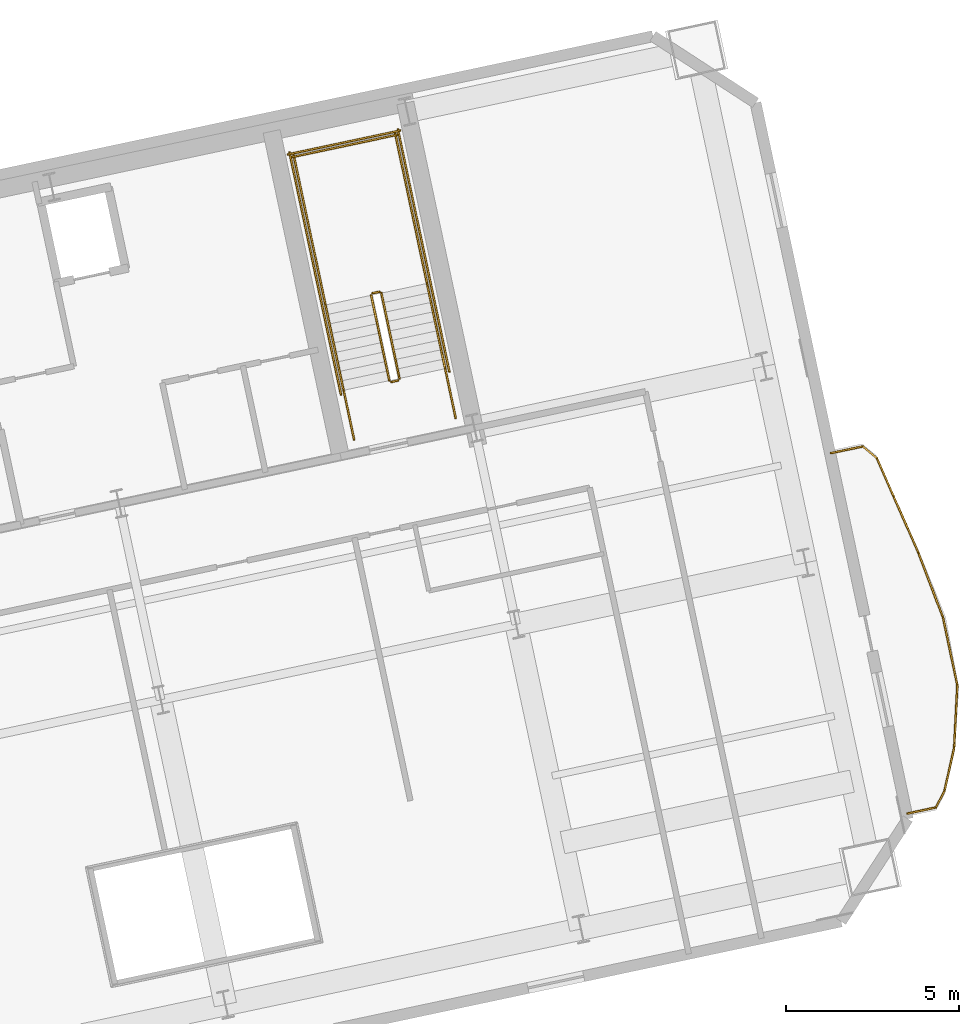
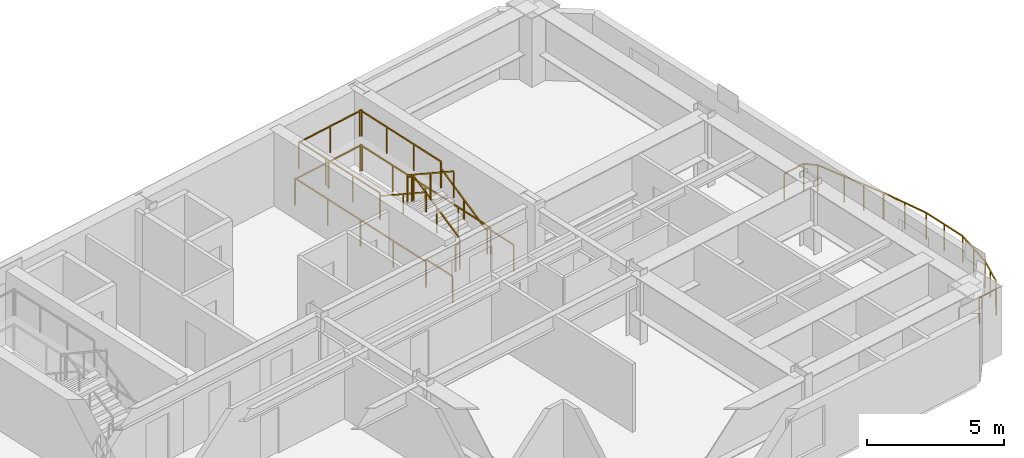
# One storey, part 15 of 15: 24 railings.
"""IFC4 building model written with IfcOpenShell, lengths in metres."""

from ifc_helpers import new_model, si_unit, direction, frame, origin, origin_2d, place, context, subcontext, project, spatial, rectangle, extrude, material, type_object, element, save


model = new_model("IFC4")

# Units and contexts
model_context = context("Model", 3, precision=1e-05, world=origin(), true_north=direction((0.0, 1.0)))
body_context = subcontext(model_context, "Body", "Model", "MODEL_VIEW")
ifc_project = project(units=[si_unit("LENGTHUNIT", "METRE"), si_unit("AREAUNIT", "SQUARE_METRE"), si_unit("VOLUMEUNIT", "CUBIC_METRE"), si_unit("PLANEANGLEUNIT", "RADIAN"), si_unit("MASSUNIT", "GRAM", prefix="KILO")], contexts=[model_context])

# Site, building, storey
site_placement = place(None, origin())
site = spatial("IfcSite", under=ifc_project, at=site_placement, CompositionType="ELEMENT")
building_placement = place(site_placement, origin())
building = spatial("IfcBuilding", under=site, at=building_placement, Name="Haevon Station Towers", CompositionType="ELEMENT")
storey_placement = place(building_placement, frame((0.0, 0.0, 109.800048828125)))
storey = spatial("IfcBuildingStorey", under=building, at=storey_placement, Name="L29", CompositionType="ELEMENT", Elevation=109.800048828125)

# Railings
ifc_material = material(Name="Steel S355", Category="steel")
railing_type_1 = type_object("IfcRailingType", Name="GRD-EXT1200", PredefinedType="GUARDRAIL", material=ifc_material)
railing_1_placement = place(storey_placement, frame((131.80615234375, 30.66943359375, 0.0)))
element("IfcRailing", 1, at=railing_1_placement, inside=storey, type_object=railing_type_1, Name="L29 Perimeter Guardrail 1", PredefinedType="GUARDRAIL", context=body_context, shape_type="SweptSolid", body=[
    extrude(rectangle(XDim=0.048095703125, YDim=0.048095703125, at=origin_2d()), frame((0.0, 0.0, 1.17578125), z_axis=(0.97761867619, 0.210384704682, 0.0), x_axis=(-0.210384704682, 0.97761867619, 0.0)), (0.0, 0.0, 1.0), 0.837890625),
    extrude(rectangle(XDim=0.0419921875, YDim=0.0419921875, at=origin_2d()), origin(), (0.0, 0.0, 1.0), 1.15185546875),
    extrude(rectangle(XDim=0.0419921875, YDim=0.0419921875, at=origin_2d()), frame((0.819091796875, 0.17626953125, 0.0)), (0.0, 0.0, 1.0), 1.15185546875),
])
railing_2_placement = place(storey_placement, frame((132.625244140625, 30.845703125, 0.0)))
element("IfcRailing", 2, at=railing_2_placement, inside=storey, type_object=railing_type_1, Name="L29 Perimeter Guardrail 2", PredefinedType="GUARDRAIL", context=body_context, shape_type="SweptSolid", body=[
    extrude(rectangle(XDim=0.048095703125, YDim=0.048095703125, at=origin_2d()), frame((0.0, 0.0, 1.17578125), z_axis=(0.466629783668, 0.884452737569, 0.0), x_axis=(-0.884452737569, 0.466629783668, 0.0)), (0.0, 0.0, 1.0), 0.53515625),
    extrude(rectangle(XDim=0.0419921875, YDim=0.0419921875, at=origin_2d()), origin(), (0.0, 0.0, 1.0), 1.15185546875),
    extrude(rectangle(XDim=0.0419921875, YDim=0.0419921875, at=origin_2d()), frame((0.249755859375, 0.473388671875, 0.0)), (0.0, 0.0, 1.0), 1.15185546875),
])
railing_3_placement = place(storey_placement, frame((132.875, 31.319091796875, 0.0)))
element("IfcRailing", 3, at=railing_3_placement, inside=storey, type_object=railing_type_1, Name="L29 Perimeter Guardrail 3", PredefinedType="GUARDRAIL", context=body_context, shape_type="SweptSolid", body=[
    extrude(rectangle(XDim=0.048095703125, YDim=0.048095703125, at=origin_2d()), frame((0.0, 0.0, 1.17578125), z_axis=(0.217312258808, 0.976102137162, 0.0), x_axis=(-0.976102137162, 0.217312258808, 0.0)), (0.0, 0.0, 1.0), 1.286376953125),
    extrude(rectangle(XDim=0.0419921875, YDim=0.0419921875, at=origin_2d()), origin(), (0.0, 0.0, 1.0), 1.15185546875),
    extrude(rectangle(XDim=0.0419921875, YDim=0.0419921875, at=origin_2d()), frame((0.1396484375, 0.6279296875, 0.0)), (0.0, 0.0, 1.0), 1.15185546875),
    extrude(rectangle(XDim=0.0419921875, YDim=0.0419921875, at=origin_2d()), frame((0.279541015625, 1.255615234375, 0.0)), (0.0, 0.0, 1.0), 1.15185546875),
])
railing_4_placement = place(storey_placement, frame((133.154541015625, 32.57470703125, 0.0)))
element("IfcRailing", 4, at=railing_4_placement, inside=storey, type_object=railing_type_1, Name="L29 Perimeter Guardrail 4", PredefinedType="GUARDRAIL", context=body_context, shape_type="SweptSolid", body=[
    extrude(rectangle(XDim=0.048095703125, YDim=0.048095703125, at=origin_2d()), frame((0.0, 0.0, 1.17578125), z_axis=(0.050564718306, 0.998720786438, 0.0), x_axis=(-0.998720786438, 0.050564718306, 0.0)), (0.0, 0.0, 1.0), 1.8056640625),
    extrude(rectangle(XDim=0.0419921875, YDim=0.0419921875, at=origin_2d()), origin(), (0.0, 0.0, 1.0), 1.15185546875),
    extrude(rectangle(XDim=0.0419921875, YDim=0.0419921875, at=origin_2d()), frame((0.045654296875, 0.90185546875, 0.0)), (0.0, 0.0, 1.0), 1.15185546875),
    extrude(rectangle(XDim=0.0419921875, YDim=0.0419921875, at=origin_2d()), frame((0.09130859375, 1.803466796875, 0.0)), (0.0, 0.0, 1.0), 1.15185546875),
])
railing_5_placement = place(storey_placement, frame((133.245849609375, 34.378173828125, 0.0)))
element("IfcRailing", 5, at=railing_5_placement, inside=storey, type_object=railing_type_1, Name="L29 Perimeter Guardrail 5", PredefinedType="GUARDRAIL", context=body_context, shape_type="SweptSolid", body=[
    extrude(rectangle(XDim=0.048095703125, YDim=0.048095703125, at=origin_2d()), frame((0.0, 0.0, 1.17578125), z_axis=(-0.207053251412, 0.978329674026, 0.0), x_axis=(-0.978329674026, -0.207053251412, 0.0)), (0.0, 0.0, 1.0), 1.993896484375),
    extrude(rectangle(XDim=0.0419921875, YDim=0.0419921875, at=origin_2d()), origin(), (0.0, 0.0, 1.0), 1.15185546875),
    extrude(rectangle(XDim=0.0419921875, YDim=0.0419921875, at=origin_2d()), frame((-0.20654296875, 0.975341796875, 0.0)), (0.0, 0.0, 1.0), 1.15185546875),
    extrude(rectangle(XDim=0.0419921875, YDim=0.0419921875, at=origin_2d()), frame((-0.412841796875, 1.95068359375, 0.0)), (0.0, 0.0, 1.0), 1.15185546875),
])
railing_6_placement = place(storey_placement, frame((132.8330078125, 36.328857421875, 0.0)))
element("IfcRailing", 6, at=railing_6_placement, inside=storey, type_object=railing_type_1, Name="L29 Perimeter Guardrail 6", PredefinedType="GUARDRAIL", context=body_context, shape_type="SweptSolid", body=[
    extrude(rectangle(XDim=0.048095703125, YDim=0.048095703125, at=origin_2d()), frame((0.0, 0.0, 1.17578125), z_axis=(-0.355344884294, 0.934735263701, 0.0), x_axis=(-0.934735263701, -0.355344884294, 0.0)), (0.0, 0.0, 1.0), 2.013671875),
    extrude(rectangle(XDim=0.0419921875, YDim=0.0419921875, at=origin_2d()), origin(), (0.0, 0.0, 1.0), 1.15185546875),
    extrude(rectangle(XDim=0.0419921875, YDim=0.0419921875, at=origin_2d()), frame((-0.35791015625, 0.941162109375, 0.0)), (0.0, 0.0, 1.0), 1.15185546875),
    extrude(rectangle(XDim=0.0419921875, YDim=0.0419921875, at=origin_2d()), frame((-0.715576171875, 1.88232421875, 0.0)), (0.0, 0.0, 1.0), 1.15185546875),
])
railing_7_placement = place(storey_placement, frame((132.117431640625, 38.211181640625, 0.0)))
element("IfcRailing", 7, at=railing_7_placement, inside=storey, type_object=railing_type_1, Name="L29 Perimeter Guardrail 7", PredefinedType="GUARDRAIL", context=body_context, shape_type="SweptSolid", body=[
    extrude(rectangle(XDim=0.048095703125, YDim=0.048095703125, at=origin_2d()), frame((0.0, 0.0, 1.17578125), z_axis=(-0.402711127972, 0.9153271259, 0.0), x_axis=(-0.9153271259, -0.402711127972, 0.0)), (0.0, 0.0, 1.0), 1.785888671875),
    extrude(rectangle(XDim=0.0419921875, YDim=0.0419921875, at=origin_2d()), origin(), (0.0, 0.0, 1.0), 1.15185546875),
    extrude(rectangle(XDim=0.0419921875, YDim=0.0419921875, at=origin_2d()), frame((-0.359619140625, 0.8173828125, 0.0)), (0.0, 0.0, 1.0), 1.15185546875),
    extrude(rectangle(XDim=0.0419921875, YDim=0.0419921875, at=origin_2d()), frame((-0.71923828125, 1.634765625, 0.0)), (0.0, 0.0, 1.0), 1.15185546875),
])
railing_8_placement = place(storey_placement, frame((131.398193359375, 39.845947265625, 0.0)))
element("IfcRailing", 8, at=railing_8_placement, inside=storey, type_object=railing_type_1, Name="L29 Perimeter Guardrail 8", PredefinedType="GUARDRAIL", context=body_context, shape_type="SweptSolid", body=[
    extrude(rectangle(XDim=0.048095703125, YDim=0.048095703125, at=origin_2d()), frame((0.0, 0.0, 1.17578125), z_axis=(-0.401451066264, 0.915880473313, 0.0), x_axis=(-0.915880473313, -0.401451066264, 0.0)), (0.0, 0.0, 1.0), 1.195068359375),
    extrude(rectangle(XDim=0.0419921875, YDim=0.0419921875, at=origin_2d()), origin(), (0.0, 0.0, 1.0), 1.15185546875),
    extrude(rectangle(XDim=0.0419921875, YDim=0.0419921875, at=origin_2d()), frame((-0.479736328125, 1.094482421875, 0.0)), (0.0, 0.0, 1.0), 1.15185546875),
])
railing_9_placement = place(storey_placement, frame((130.91845703125, 40.9404296875, 0.0)))
element("IfcRailing", 9, at=railing_9_placement, inside=storey, type_object=railing_type_1, Name="L29 Perimeter Guardrail 9", PredefinedType="GUARDRAIL", context=body_context, shape_type="SweptSolid", body=[
    extrude(rectangle(XDim=0.048095703125, YDim=0.048095703125, at=origin_2d()), frame((0.0, 0.0, 1.17578125), z_axis=(-0.768144770241, 0.640276199739, 0.0), x_axis=(-0.640276199739, -0.768144770241, 0.0)), (0.0, 0.0, 1.0), 0.523193359375),
    extrude(rectangle(XDim=0.0419921875, YDim=0.0419921875, at=origin_2d()), origin(), (0.0, 0.0, 1.0), 1.15185546875),
    extrude(rectangle(XDim=0.0419921875, YDim=0.0419921875, at=origin_2d()), frame((-0.40185546875, 0.3349609375, 0.0)), (0.0, 0.0, 1.0), 1.15185546875),
])
railing_10_placement = place(storey_placement, frame((130.5166015625, 41.275390625, 0.0)))
element("IfcRailing", 10, at=railing_10_placement, inside=storey, type_object=railing_type_1, Name="L29 Perimeter Guardrail 10", PredefinedType="GUARDRAIL", context=body_context, shape_type="SweptSolid", body=[
    extrude(rectangle(XDim=0.048095703125, YDim=0.048095703125, at=origin_2d()), frame((0.0, 0.0, 1.17578125), z_axis=(-0.97862382912, -0.205658457349, 0.0), x_axis=(0.205658457349, -0.97862382912, 0.0)), (0.0, 0.0, 1.0), 0.94384765625),
    extrude(rectangle(XDim=0.0419921875, YDim=0.0419921875, at=origin_2d()), origin(), (0.0, 0.0, 1.0), 1.15185546875),
    extrude(rectangle(XDim=0.0419921875, YDim=0.0419921875, at=origin_2d()), frame((-0.923583984375, -0.194091796875, 0.0)), (0.0, 0.0, 1.0), 1.15185546875),
])
railing_type_2 = type_object("IfcRailingType", Name="GRD-STR1200", PredefinedType="GUARDRAIL", material=ifc_material)
railing_11_placement = place(storey_placement, frame((117.128662109375, 43.23974609375, 0.1650390625)))
element("IfcRailing", 11, at=railing_11_placement, inside=storey, type_object=railing_type_2, Name="L29 ST4 Stair Guard 1", PredefinedType="GUARDRAIL", context=body_context, shape_type="SweptSolid", body=[
    extrude(rectangle(XDim=0.048095703125, YDim=0.048095703125, at=origin_2d()), frame((0.0, 0.0, 1.17578125), z_axis=(-0.179128856099, 0.842723639875, 0.507670877349), x_axis=(-0.978147030254, -0.207914374695, 0.0)), (0.0, 0.0, 1.0), 2.9248046875),
    extrude(rectangle(XDim=0.0419921875, YDim=0.0419921875, at=origin_2d()), origin(), (0.0, 0.0, 1.0), 1.15185546875),
    extrude(rectangle(XDim=0.0419921875, YDim=0.0419921875, at=origin_2d()), frame((-0.261962890625, 1.232421875, 0.742431640625)), (0.0, 0.0, 1.0), 1.15185546875),
    extrude(rectangle(XDim=0.0419921875, YDim=0.0419921875, at=origin_2d()), frame((-0.52392578125, 2.46484375, 1.48486328125)), (0.0, 0.0, 1.0), 1.15185546875),
])
railing_12_placement = place(storey_placement, frame((116.54541015625, 45.7431640625, 1.64990234375)))
element("IfcRailing", 12, at=railing_12_placement, inside=storey, type_object=railing_type_2, Name="L29 ST4 Stair Guard 2", PredefinedType="GUARDRAIL", context=body_context, shape_type="SweptSolid", body=[
    extrude(rectangle(XDim=0.048095703125, YDim=0.048095703125, at=origin_2d()), frame((0.0, 0.0, 1.17578125), z_axis=(-0.97826412705, -0.207362720198, 0.0), x_axis=(0.207362720198, -0.97826412705, 0.0)), (0.0, 0.0, 1.0), 0.2001953125),
    extrude(rectangle(XDim=0.0419921875, YDim=0.0419921875, at=origin_2d()), origin(), (0.0, 0.0, 1.0), 1.15185546875),
    extrude(rectangle(XDim=0.0419921875, YDim=0.0419921875, at=origin_2d()), frame((-0.19580078125, -0.04150390625, 0.0)), (0.0, 0.0, 1.0), 1.15185546875),
])
railing_13_placement = place(storey_placement, frame((117.925048828125, 45.9853515625, 1.64990234375)))
element("IfcRailing", 13, at=railing_13_placement, inside=storey, type_object=railing_type_2, Name="L29 ST4 Stair Guard 3", PredefinedType="GUARDRAIL", context=body_context, shape_type="SweptSolid", body=[
    extrude(rectangle(XDim=0.048095703125, YDim=0.048095703125, at=origin_2d()), frame((0.0, 0.0, 1.17578125), z_axis=(-0.207876551949, 0.978155069071, 0.0), x_axis=(-0.978155069071, -0.207876551949, 0.0)), (0.0, 0.0, 1.0), 4.429931640625),
    extrude(rectangle(XDim=0.0419921875, YDim=0.0419921875, at=origin_2d()), origin(), (0.0, 0.0, 1.0), 1.15185546875),
    extrude(rectangle(XDim=0.0419921875, YDim=0.0419921875, at=origin_2d()), frame((-0.306884765625, 1.4443359375, 0.0)), (0.0, 0.0, 1.0), 1.15185546875),
    extrude(rectangle(XDim=0.0419921875, YDim=0.0419921875, at=origin_2d()), frame((-0.614013671875, 2.888916015625, 0.0)), (0.0, 0.0, 1.0), 1.15185546875),
    extrude(rectangle(XDim=0.0419921875, YDim=0.0419921875, at=origin_2d()), frame((-0.9208984375, 4.333251953125, 0.0)), (0.0, 0.0, 1.0), 1.15185546875),
])
railing_14_placement = place(storey_placement, frame((114.99072265625, 45.361572265625, 1.64990234375)))
element("IfcRailing", 14, at=railing_14_placement, inside=storey, type_object=railing_type_2, Name="L29 ST4 Stair Guard 4", PredefinedType="GUARDRAIL", context=body_context, shape_type="SweptSolid", body=[
    extrude(rectangle(XDim=0.048095703125, YDim=0.048095703125, at=origin_2d()), frame((0.0, 0.0, 1.17578125), z_axis=(-0.207929280007, 0.978143861871, 0.0), x_axis=(-0.978143861871, -0.207929280007, 0.0)), (0.0, 0.0, 1.0), 4.43017578125),
    extrude(rectangle(XDim=0.0419921875, YDim=0.0419921875, at=origin_2d()), origin(), (0.0, 0.0, 1.0), 1.15185546875),
    extrude(rectangle(XDim=0.0419921875, YDim=0.0419921875, at=origin_2d()), frame((-0.30712890625, 1.4443359375, 0.0)), (0.0, 0.0, 1.0), 1.15185546875),
    extrude(rectangle(XDim=0.0419921875, YDim=0.0419921875, at=origin_2d()), frame((-0.614013671875, 2.888916015625, 0.0)), (0.0, 0.0, 1.0), 1.15185546875),
    extrude(rectangle(XDim=0.0419921875, YDim=0.0419921875, at=origin_2d()), frame((-0.921142578125, 4.333251953125, 0.0)), (0.0, 0.0, 1.0), 1.15185546875),
])
railing_15_placement = place(storey_placement, frame((117.0634765625, 50.280029296875, 1.64990234375)))
element("IfcRailing", 15, at=railing_15_placement, inside=storey, type_object=railing_type_2, Name="L29 ST4 Stair Guard 5", PredefinedType="GUARDRAIL", context=body_context, shape_type="SweptSolid", body=[
    extrude(rectangle(XDim=0.048095703125, YDim=0.048095703125, at=origin_2d()), frame((0.0, 0.0, 1.17578125), z_axis=(-0.978146839882, -0.207915270313, 0.0), x_axis=(0.207915270313, -0.978146839882, 0.0)), (0.0, 0.0, 1.0), 3.099853515625),
    extrude(rectangle(XDim=0.0419921875, YDim=0.0419921875, at=origin_2d()), origin(), (0.0, 0.0, 1.0), 1.15185546875),
    extrude(rectangle(XDim=0.0419921875, YDim=0.0419921875, at=origin_2d()), frame((-1.51611328125, -0.322265625, 0.0)), (0.0, 0.0, 1.0), 1.15185546875),
    extrude(rectangle(XDim=0.0419921875, YDim=0.0419921875, at=origin_2d()), frame((-3.0322265625, -0.64453125, 0.0)), (0.0, 0.0, 1.0), 1.15185546875),
])
railing_16_placement = place(storey_placement, frame((116.311279296875, 45.642333984375, 1.81494140625)))
element("IfcRailing", 16, at=railing_16_placement, inside=storey, type_object=railing_type_2, Name="L29 ST4 Stair Guard 6", PredefinedType="GUARDRAIL", context=body_context, shape_type="SweptSolid", body=[
    extrude(rectangle(XDim=0.048095703125, YDim=0.048095703125, at=origin_2d()), frame((0.0, 0.0, 1.17578125), z_axis=(0.179108667068, -0.842712120868, 0.50769712105), x_axis=(0.978151217824, 0.207894673017, 0.0)), (0.0, 0.0, 1.0), 2.92529296875),
    extrude(rectangle(XDim=0.0419921875, YDim=0.0419921875, at=origin_2d()), origin(), (0.0, 0.0, 1.0), 1.15185546875),
    extrude(rectangle(XDim=0.0419921875, YDim=0.0419921875, at=origin_2d()), frame((0.261962890625, -1.232421875, 0.74267578125)), (0.0, 0.0, 1.0), 1.15185546875),
    extrude(rectangle(XDim=0.0419921875, YDim=0.0419921875, at=origin_2d()), frame((0.52392578125, -2.465087890625, 1.485107421875)), (0.0, 0.0, 1.0), 1.15185546875),
])
railing_17_placement = place(storey_placement, frame((117.090087890625, 43.180419921875, 0.0)))
element("IfcRailing", 17, at=railing_17_placement, inside=storey, type_object=railing_type_2, Name="L29 ST4 Stair Guard 7", PredefinedType="GUARDRAIL", context=body_context, shape_type="SweptSolid", body=[
    extrude(rectangle(XDim=0.048095703125, YDim=0.048095703125, at=origin_2d()), frame((0.0, 0.0, 1.17578125), z_axis=(-0.978211583308, -0.207610448392, 0.0), x_axis=(0.207610448392, -0.978211583308, 0.0)), (0.0, 0.0, 1.0), 0.199951171875),
    extrude(rectangle(XDim=0.0419921875, YDim=0.0419921875, at=origin_2d()), origin(), (0.0, 0.0, 1.0), 1.15185546875),
    extrude(rectangle(XDim=0.0419921875, YDim=0.0419921875, at=origin_2d()), frame((-0.195556640625, -0.04150390625, 0.0)), (0.0, 0.0, 1.0), 1.15185546875),
])
for number, where, name in (
    (18, (118.75048828125, 42.10205078125, 0.0), "L29 ST4 Stair Guard 8"),
    (19, (115.816162109375, 41.478271484375, 0.0), "L29 ST4 Stair Guard 9"),
):
    element("IfcRailing", number, at=place(storey_placement, frame(where)), inside=storey, type_object=railing_type_2, Name=name, PredefinedType="GUARDRAIL", context=body_context, shape_type="SweptSolid", body=[
        extrude(rectangle(XDim=0.048095703125, YDim=0.048095703125, at=origin_2d()), frame((0.0, 0.0, 1.17578125), z_axis=(-0.207919161079, 0.978146012851, 0.0), x_axis=(-0.978146012851, -0.207919161079, 0.0)), (0.0, 0.0, 1.0), 1.4501953125),
        extrude(rectangle(XDim=0.0419921875, YDim=0.0419921875, at=origin_2d()), origin(), (0.0, 0.0, 1.0), 1.15185546875),
        extrude(rectangle(XDim=0.0419921875, YDim=0.0419921875, at=origin_2d()), frame((-0.301513671875, 1.41845703125, 0.0)), (0.0, 0.0, 1.0), 1.15185546875),
    ])
railing_18_placement = place(storey_placement, frame((118.567626953125, 43.443359375, 0.0)))
element("IfcRailing", 20, at=railing_18_placement, inside=storey, type_object=railing_type_2, Name="L29 ST4 Stair Guard 10", PredefinedType="GUARDRAIL", context=body_context, shape_type="SweptSolid", body=[
    extrude(rectangle(XDim=0.048095703125, YDim=0.048095703125, at=origin_2d()), frame((0.0, 0.0, 1.17578125), z_axis=(-0.207908168386, 0.978148349443, 0.0), x_axis=(-0.978148349443, -0.207908168386, 0.0)), (0.0, 0.0, 1.0), 7.150146484375),
    extrude(rectangle(XDim=0.0419921875, YDim=0.0419921875, at=origin_2d()), origin(), (0.0, 0.0, 1.0), 1.15185546875),
    extrude(rectangle(XDim=0.0419921875, YDim=0.0419921875, at=origin_2d()), frame((-0.37158203125, 1.74853515625, 0.0)), (0.0, 0.0, 1.0), 1.15185546875),
    extrude(rectangle(XDim=0.0419921875, YDim=0.0419921875, at=origin_2d()), frame((-0.7431640625, 3.4970703125, 0.0)), (0.0, 0.0, 1.0), 1.15185546875),
    extrude(rectangle(XDim=0.0419921875, YDim=0.0419921875, at=origin_2d()), frame((-1.114990234375, 5.245361328125, 0.0)), (0.0, 0.0, 1.0), 1.15185546875),
    extrude(rectangle(XDim=0.0419921875, YDim=0.0419921875, at=origin_2d()), frame((-1.486572265625, 6.993896484375, 0.0)), (0.0, 0.0, 1.0), 1.15185546875),
])
railing_19_placement = place(storey_placement, frame((115.4375, 42.778076171875, 0.0)))
element("IfcRailing", 21, at=railing_19_placement, inside=storey, type_object=railing_type_2, Name="L29 ST4 Stair Guard 11", PredefinedType="GUARDRAIL", context=body_context, shape_type="SweptSolid", body=[
    extrude(rectangle(XDim=0.048095703125, YDim=0.048095703125, at=origin_2d()), frame((0.0, 0.0, 1.17578125), z_axis=(-0.207882442208, 0.978153817261, 0.0), x_axis=(-0.978153817261, -0.207882442208, 0.0)), (0.0, 0.0, 1.0), 7.14990234375),
    extrude(rectangle(XDim=0.0419921875, YDim=0.0419921875, at=origin_2d()), origin(), (0.0, 0.0, 1.0), 1.15185546875),
    extrude(rectangle(XDim=0.0419921875, YDim=0.0419921875, at=origin_2d()), frame((-0.37158203125, 1.74853515625, 0.0)), (0.0, 0.0, 1.0), 1.15185546875),
    extrude(rectangle(XDim=0.0419921875, YDim=0.0419921875, at=origin_2d()), frame((-0.7431640625, 3.496826171875, 0.0)), (0.0, 0.0, 1.0), 1.15185546875),
    extrude(rectangle(XDim=0.0419921875, YDim=0.0419921875, at=origin_2d()), frame((-1.11474609375, 5.2451171875, 0.0)), (0.0, 0.0, 1.0), 1.15185546875),
    extrude(rectangle(XDim=0.0419921875, YDim=0.0419921875, at=origin_2d()), frame((-1.486328125, 6.99365234375, 0.0)), (0.0, 0.0, 1.0), 1.15185546875),
])
railing_20_placement = place(storey_placement, frame((117.140380859375, 50.398681640625, 0.0)))
element("IfcRailing", 22, at=railing_20_placement, inside=storey, type_object=railing_type_2, Name="L29 ST4 Stair Guard 12", PredefinedType="GUARDRAIL", context=body_context, shape_type="SweptSolid", body=[
    extrude(rectangle(XDim=0.048095703125, YDim=0.048095703125, at=origin_2d()), frame((0.0, 0.0, 1.17578125), z_axis=(-0.978135717418, -0.207967589567, 0.0), x_axis=(0.207967589567, -0.978135717418, 0.0)), (0.0, 0.0, 1.0), 3.300048828125),
    extrude(rectangle(XDim=0.0419921875, YDim=0.0419921875, at=origin_2d()), origin(), (0.0, 0.0, 1.0), 1.15185546875),
    extrude(rectangle(XDim=0.0419921875, YDim=0.0419921875, at=origin_2d()), frame((-1.61376953125, -0.34326171875, 0.0)), (0.0, 0.0, 1.0), 1.15185546875),
    extrude(rectangle(XDim=0.0419921875, YDim=0.0419921875, at=origin_2d()), frame((-3.227783203125, -0.686279296875, 0.0)), (0.0, 0.0, 1.0), 1.15185546875),
])
railing_type_3 = type_object("IfcRailingType", Name="HND-STR900", PredefinedType="HANDRAIL", material=ifc_material)
railing_21_placement = place(storey_placement, frame((118.448974609375, 43.5205078125, 0.1650390625)))
element("IfcRailing", 23, at=railing_21_placement, inside=storey, type_object=railing_type_3, Name="L29 ST4 Stair Handrail 1", PredefinedType="HANDRAIL", context=body_context, shape_type="SweptSolid", body=[
    extrude(rectangle(XDim=0.048095703125, YDim=0.048095703125, at=origin_2d()), frame((0.0, 0.0, 0.8759765625), z_axis=(-0.179128856099, 0.842723639875, 0.507670877349), x_axis=(-0.978147030254, -0.207914374695, 0.0)), (0.0, 0.0, 1.0), 2.9248046875),
    extrude(rectangle(XDim=0.0419921875, YDim=0.0419921875, at=origin_2d()), origin(), (0.0, 0.0, 1.0), 0.851806640625),
    extrude(rectangle(XDim=0.0419921875, YDim=0.0419921875, at=origin_2d()), frame((-0.261962890625, 1.232421875, 0.742431640625)), (0.0, 0.0, 1.0), 0.851806640625),
    extrude(rectangle(XDim=0.0419921875, YDim=0.0419921875, at=origin_2d()), frame((-0.52392578125, 2.46484375, 1.48486328125)), (0.0, 0.0, 1.0), 0.851806640625),
])
railing_22_placement = place(storey_placement, frame((114.99072265625, 45.361572265625, 1.81494140625)))
element("IfcRailing", 24, at=railing_22_placement, inside=storey, type_object=railing_type_3, Name="L29 ST4 Stair Handrail 2", PredefinedType="HANDRAIL", context=body_context, shape_type="SweptSolid", body=[
    extrude(rectangle(XDim=0.048095703125, YDim=0.048095703125, at=origin_2d()), frame((0.0, 0.0, 0.8759765625), z_axis=(0.179121265225, -0.842687928106, 0.507732831485), x_axis=(0.978147030254, 0.207914374695, 0.0)), (0.0, 0.0, 1.0), 2.925048828125),
    extrude(rectangle(XDim=0.0419921875, YDim=0.0419921875, at=origin_2d()), origin(), (0.0, 0.0, 1.0), 0.851806640625),
    extrude(rectangle(XDim=0.0419921875, YDim=0.0419921875, at=origin_2d()), frame((0.261962890625, -1.232421875, 0.74267578125)), (0.0, 0.0, 1.0), 0.851806640625),
    extrude(rectangle(XDim=0.0419921875, YDim=0.0419921875, at=origin_2d()), frame((0.52392578125, -2.46484375, 1.485107421875)), (0.0, 0.0, 1.0), 0.851806640625),
])

save(model, "model.ifc")
